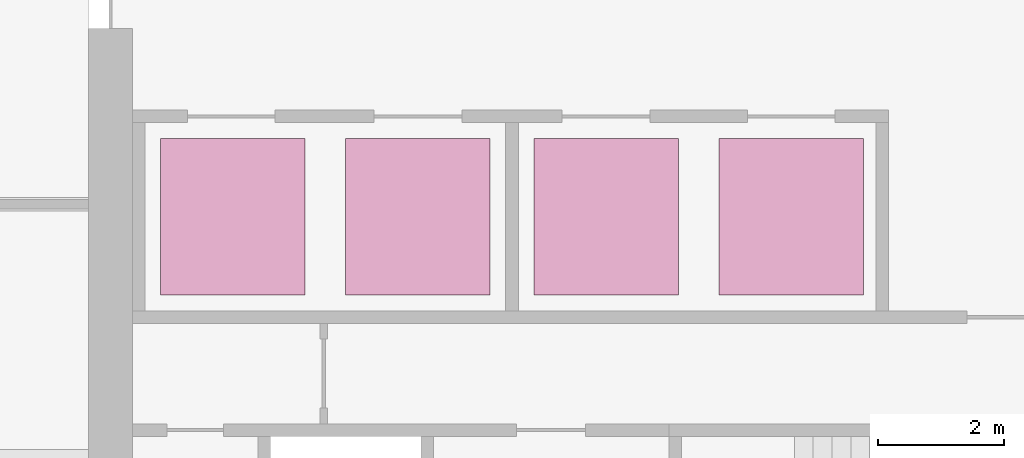
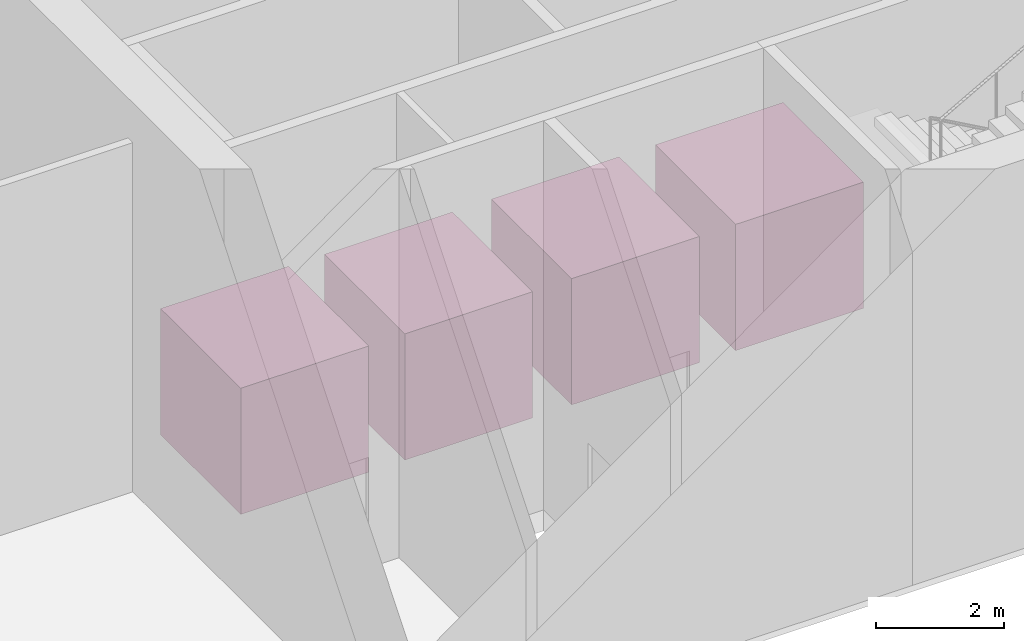
# One storey, part 20 of 20: 4 transport elements.
"""IFC4 building model written with IfcOpenShell, lengths in metres."""

from ifc_helpers import new_model, si_unit, direction, frame, origin, origin_2d, place, context, subcontext, project, spatial, rectangle, extrude, material, type_object, element, save


model = new_model("IFC4")

# Units and contexts
model_context = context("Model", 3, precision=1e-05, world=origin(), true_north=direction((0.0, 1.0)))
body_context = subcontext(model_context, "Body", "Model", "MODEL_VIEW")
ifc_project = project(units=[si_unit("LENGTHUNIT", "METRE"), si_unit("AREAUNIT", "SQUARE_METRE"), si_unit("VOLUMEUNIT", "CUBIC_METRE"), si_unit("PLANEANGLEUNIT", "RADIAN"), si_unit("MASSUNIT", "GRAM", prefix="KILO")], contexts=[model_context])

# Site, building, storey
site_placement = place(None, origin())
site = spatial("IfcSite", under=ifc_project, at=site_placement, CompositionType="ELEMENT")
building_placement = place(site_placement, origin())
building = spatial("IfcBuilding", under=site, at=building_placement, Name="Crosswind Convention Tower", CompositionType="ELEMENT")
storey_placement = place(building_placement, frame((0.0, 0.0, 171.5)))
storey = spatial("IfcBuildingStorey", under=building, at=storey_placement, Name="L36", CompositionType="ELEMENT", Elevation=171.5)

# Transport elements
ifc_material = material(Name="Stainless steel lift car", Category="steel")
transport_element_type = type_object("IfcTransportElementType", Name="Passenger lift car B 2300x2500", PredefinedType="ELEVATOR", material=ifc_material)
for number, where, z_axis, x_axis, name in (
    (1, (107.85009765625, 95.800048828125, 0.0), (0.0, 0.0, 1.0), (1.0, 0.0, 0.0), "Passenger lift HR1"),
    (2, (104.89990234375, 95.800048828125, 0.0), (0.0, 0.0, 1.0), (1.0, 0.0, 0.0), "Passenger lift HR2"),
    (3, (101.89990234375, 95.800048828125, 0.0), (0.0, 0.0, 1.0), (1.0, 0.0, 0.0), "Passenger lift HR3"),
    (4, (98.949951171875, 95.800048828125, 0.0), (0.0, 0.0, 1.0), (1.0, 0.0, 0.0), "Passenger lift HR4"),
):
    element("IfcTransportElement", number, at=place(storey_placement, frame(where, z_axis=z_axis, x_axis=x_axis)), inside=storey, type_object=transport_element_type, Name=name, ObjectType="LB", PredefinedType="ELEVATOR", context=body_context, shape_type="SweptSolid", body=[
        extrude(rectangle(XDim=2.300048828125, YDim=2.5, at=origin_2d()), origin(), (0.0, 0.0, 1.0), 2.39990234375),
    ])

save(model, "model.ifc")
